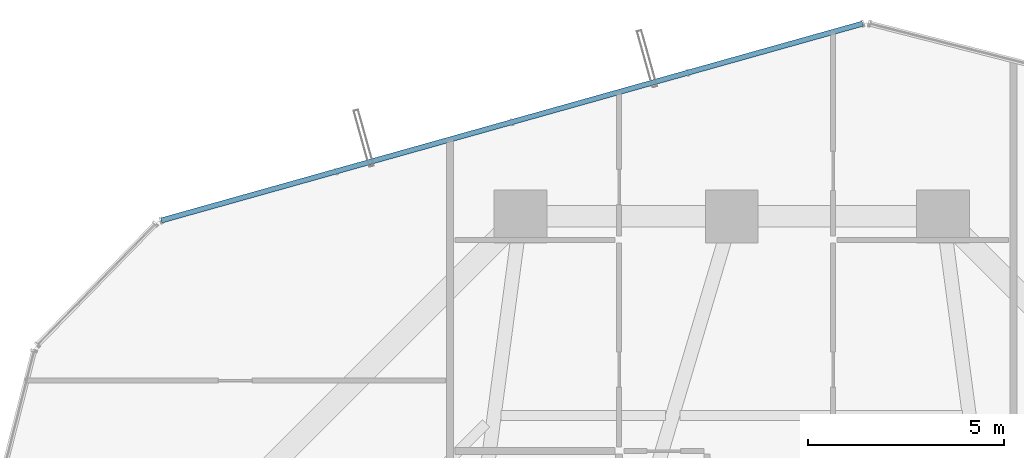
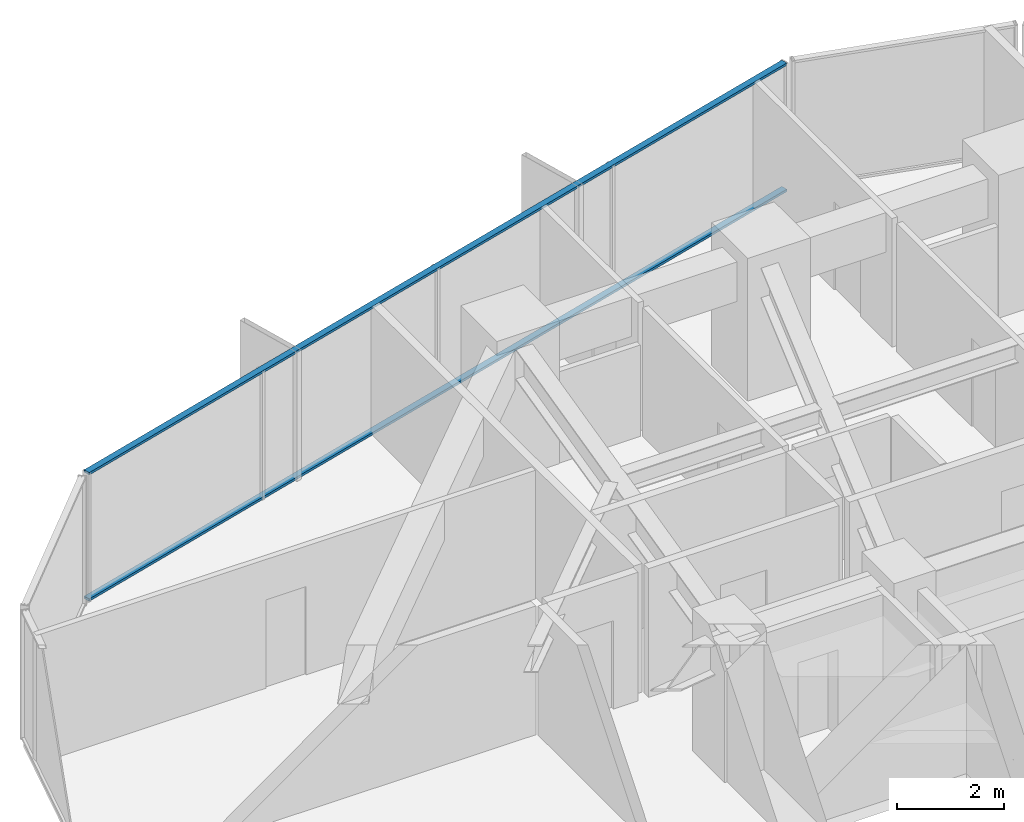
# One storey, part 27 of 39: 2 members, 1 element without a shape of its own.
"""IFC4 building model written with IfcOpenShell, lengths in metres."""

from ifc_helpers import new_model, si_unit, direction, frame, origin, origin_2d, place, context, subcontext, project, spatial, hollow_rectangle, extrude, source, transform, mapped, material, layer, layer_set, material_profile, profile_set, type_object, element, aggregate, save


model = new_model("IFC4")

# Units and contexts
model_context = context("Model", 3, precision=1e-05, world=origin(), true_north=direction((0.0, 1.0)))
body_context = subcontext(model_context, "Body", "Model", "MODEL_VIEW")
ifc_project = project(units=[si_unit("LENGTHUNIT", "METRE"), si_unit("AREAUNIT", "SQUARE_METRE"), si_unit("VOLUMEUNIT", "CUBIC_METRE"), si_unit("PLANEANGLEUNIT", "RADIAN"), si_unit("MASSUNIT", "GRAM", prefix="KILO")], contexts=[model_context])

# Site, building, storey
site_placement = place(None, origin())
site = spatial("IfcSite", under=ifc_project, at=site_placement, CompositionType="ELEMENT")
building_placement = place(site_placement, origin())
building = spatial("IfcBuilding", under=site, at=building_placement, Name="Veraguas Prism Commons", CompositionType="ELEMENT")
storey_placement = place(building_placement, frame((0.0, 0.0, 77.10009765625)))
storey = spatial("IfcBuildingStorey", under=building, at=storey_placement, Name="L21", CompositionType="ELEMENT", Elevation=77.10009765625)

# Curtain wall, members
ifc_material = material(Name="Anodised aluminium EN AW-6063 T6", Category="aluminium")
ifc_layer = layer(ifc_material, 0.169921875, Name="Unitised Flush Curtain Wall Zone 1", Category="aluminium")
ifc_layer_set = layer_set([ifc_layer], Name="Anodised aluminium EN AW-6063 T6")
curtain_wall_type = type_object("IfcCurtainWallType", Name="Unitised Flush Curtain Wall Zone 1", PredefinedType="NOTDEFINED", material=ifc_layer_set)
curtain_wall_placement = place(storey_placement, origin())
curtain_wall = element("IfcCurtainWall", 1, at=curtain_wall_placement, inside=storey, type_object=curtain_wall_type, Name="Tower Facade Curtain Wall L21-F2", PredefinedType="NOTDEFINED")
ifc_material_profile = material_profile(ifc_material, hollow_rectangle(XDim=0.054931640625, YDim=0.135009765625, WallThickness=0.0029296875, at=origin_2d()), Name="AL55X135X3")
ifc_profile_set = profile_set([ifc_material_profile], Name="Anodised aluminium EN AW-6063 T6")
member_type = type_object("IfcMemberType", Name="Curtain Wall Transom Standard AL 55x135x3", PredefinedType="USERDEFINED", material=ifc_profile_set)
shared_shape = source(origin(), body_context, "Body", "SweptSolid", [
    extrude(hollow_rectangle(XDim=0.054931640625, YDim=0.135009765625, WallThickness=0.0029296875, at=origin_2d()), origin(), (0.0, 0.0, 1.0), 18.623779296875),
])
member_1_placement = place(storey_placement, frame((27.347900390625, 46.52783203125, 0.02734375), z_axis=(-0.962784500014, -0.27027024722, 0.0), x_axis=(0.0, 0.0, 1.0)))
member_1 = element("IfcMember", 2, at=member_1_placement, type_object=member_type, Name="CW-Z1 Transom 1", ObjectType="TRANSOM", PredefinedType="USERDEFINED", context=body_context, shape_type="MappedRepresentation", body=[
    mapped(shared_shape, transform((0.0, 0.0, 0.0), scale=1.0)),
])
member_2_placement = place(storey_placement, frame((27.347900390625, 46.52783203125, 2.90234375), z_axis=(-0.962784500014, -0.27027024722, 0.0), x_axis=(0.0, 0.0, 1.0)))
member_2 = element("IfcMember", 3, at=member_2_placement, type_object=member_type, Name="CW-Z1 Transom 2", ObjectType="TRANSOM", PredefinedType="USERDEFINED", context=body_context, shape_type="MappedRepresentation", body=[
    mapped(shared_shape, transform((0.0, 0.0, 0.0), scale=1.0)),
])
aggregate(curtain_wall, [member_1, member_2])

save(model, "model.ifc")
